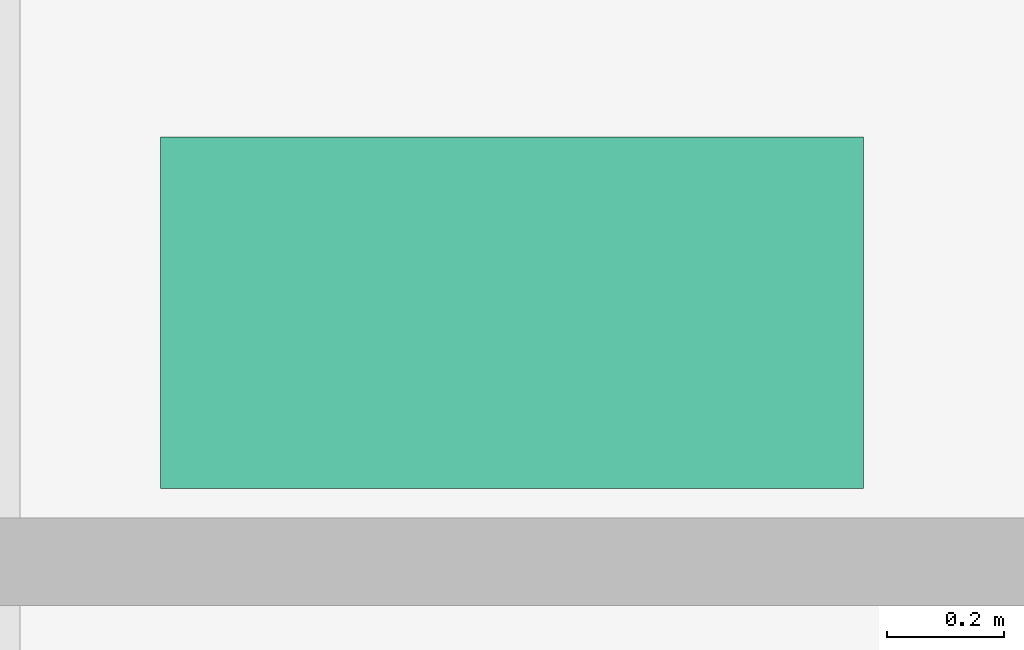
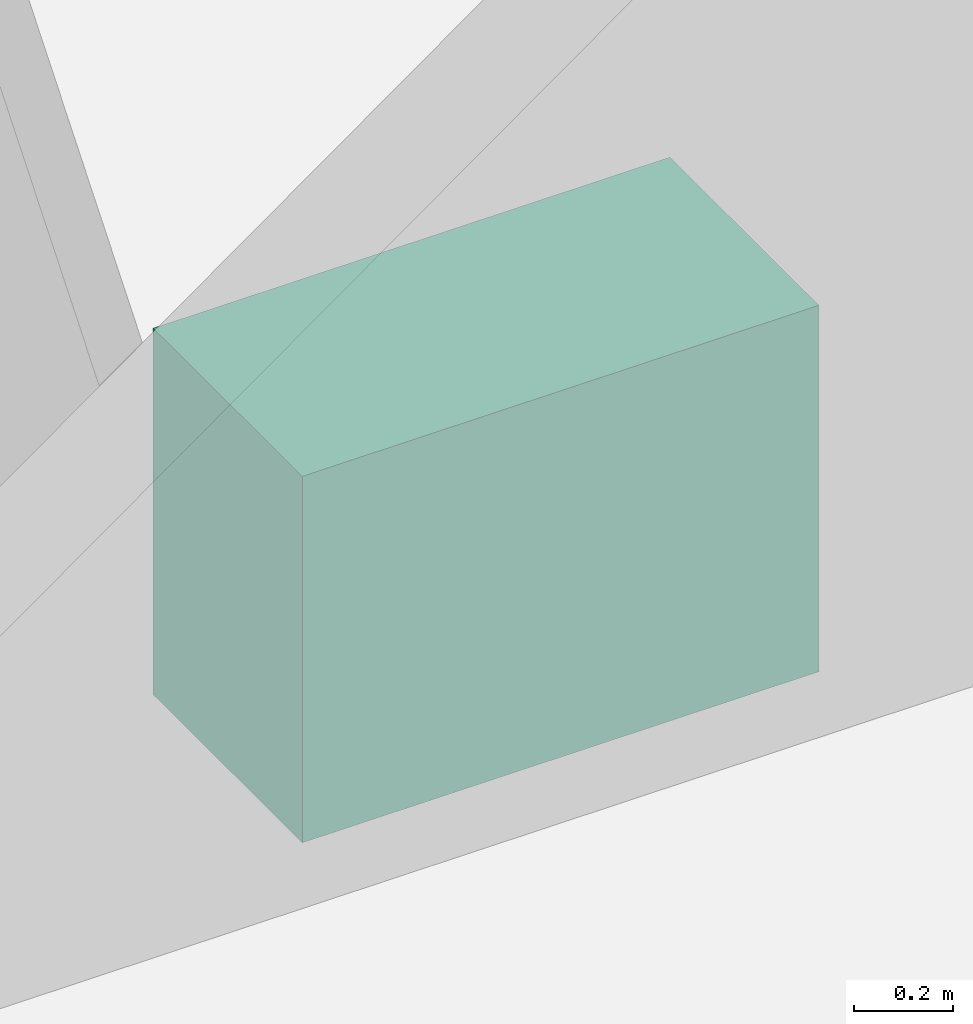
# One storey, part 12 of 12: 1 sanitary terminal.
"""IFC4 building model written with IfcOpenShell, lengths in metres."""

from ifc_helpers import new_model, si_unit, direction, frame, origin, origin_2d, place, context, subcontext, project, spatial, rectangle, extrude, material, type_object, element, save


model = new_model("IFC4")

# Units and contexts
model_context = context("Model", 3, precision=1e-05, world=origin(), true_north=direction((0.0, 1.0)))
body_context = subcontext(model_context, "Body", "Model", "MODEL_VIEW")
ifc_project = project(units=[si_unit("LENGTHUNIT", "METRE"), si_unit("AREAUNIT", "SQUARE_METRE"), si_unit("VOLUMEUNIT", "CUBIC_METRE"), si_unit("PLANEANGLEUNIT", "RADIAN"), si_unit("MASSUNIT", "GRAM", prefix="KILO")], contexts=[model_context])

# Site, building, storey
site_placement = place(None, origin())
site = spatial("IfcSite", under=ifc_project, at=site_placement, CompositionType="ELEMENT")
building_placement = place(site_placement, origin())
building = spatial("IfcBuilding", under=site, at=building_placement, Name="Tessera Gate Towers", CompositionType="ELEMENT")
storey_placement = place(building_placement, frame((0.0, 0.0, 127.800048828125)))
storey = spatial("IfcBuildingStorey", under=building, at=storey_placement, Name="L31", CompositionType="ELEMENT", Elevation=127.800048828125)

# Sanitary terminal
ifc_material = material(Name="Vitreous china")
sanitary_terminal_type = type_object("IfcSanitaryTerminalType", Name="LABORATORY SINK 1200x600", PredefinedType="SINK", material=ifc_material)
sanitary_terminal_placement = place(storey_placement, frame((57.85009765625, 14.52490234375, 0.0), z_axis=(0.0, 0.0, 1.0), x_axis=(1.0, 0.0, 0.0)))
element("IfcSanitaryTerminal", 1, at=sanitary_terminal_placement, inside=storey, type_object=sanitary_terminal_type, Name="Laboratory sink", PredefinedType="SINK", context=body_context, shape_type="SweptSolid", body=[
    extrude(rectangle(XDim=1.199951171875, YDim=0.60009765625, at=origin_2d()), origin(), (0.0, 0.0, 1.0), 0.89990234375),
])

save(model, "model.ifc")
